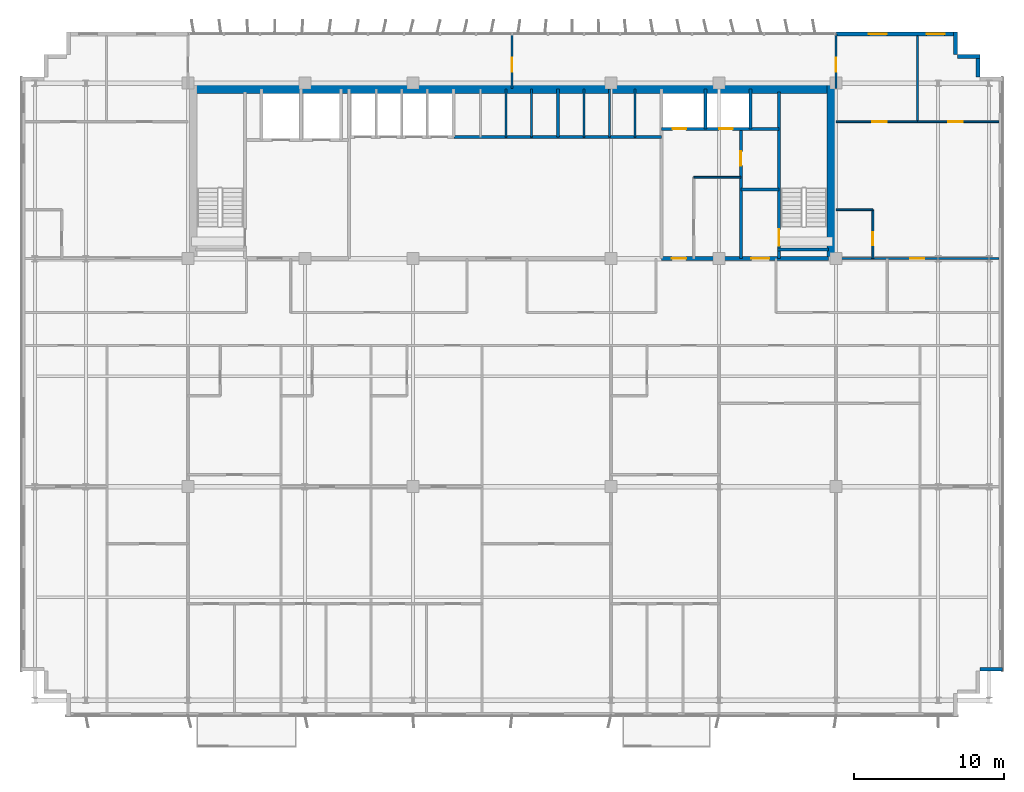
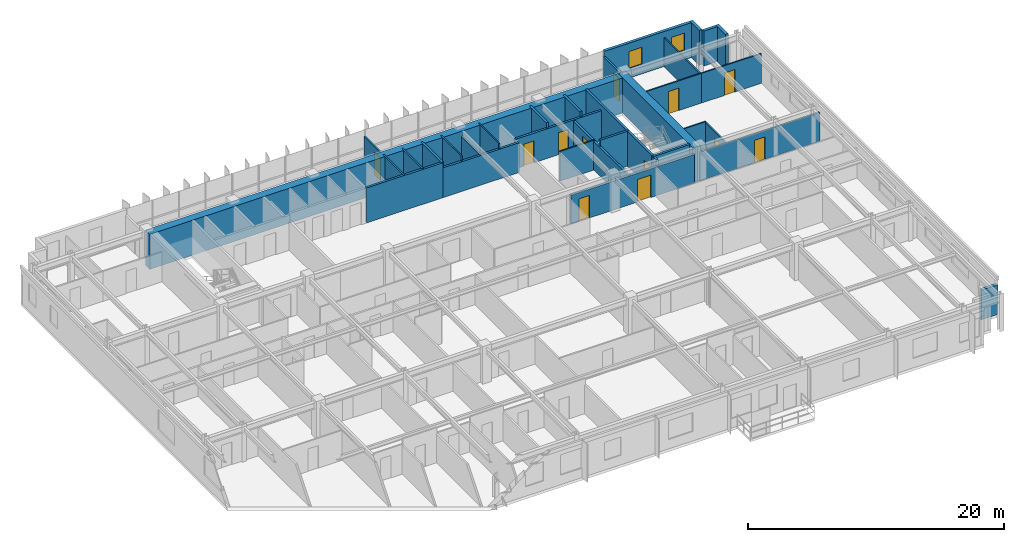
# One storey, part 18 of 22: 32 walls, 12 doors, 2 windows, 14 openings.
"""IFC4 building model written with IfcOpenShell, lengths in metres."""

from ifc_helpers import new_model, si_unit, direction, frame, frame_2d, origin, place, context, subcontext, project, spatial, rectangle, extrude, source, transform, mapped, material, layer, layer_set, type_object, element, fill, save


model = new_model("IFC4")

# Units and contexts
model_context = context("Model", 3, precision=1e-05, world=origin(), true_north=direction((0.0, 1.0)))
body_context = subcontext(model_context, "Body", "Model", "MODEL_VIEW")
ifc_project = project(units=[si_unit("LENGTHUNIT", "METRE"), si_unit("AREAUNIT", "SQUARE_METRE"), si_unit("VOLUMEUNIT", "CUBIC_METRE"), si_unit("PLANEANGLEUNIT", "RADIAN"), si_unit("MASSUNIT", "GRAM", prefix="KILO")], contexts=[model_context])

# Site, building, storey
site_placement = place(None, origin())
site = spatial("IfcSite", under=ifc_project, at=site_placement, CompositionType="ELEMENT")
building_placement = place(site_placement, origin())
building = spatial("IfcBuilding", under=site, at=building_placement, Name="Trelvane Seafront Commons", CompositionType="ELEMENT")
storey_placement = place(building_placement, frame((0.0, 0.0, 117.699951171875)))
storey = spatial("IfcBuildingStorey", under=building, at=storey_placement, Name="L30", CompositionType="ELEMENT", Elevation=117.699951171875)

# Wall, openings, windows
ifc_material_1 = material(Name="Precast concrete C40/50", Category="concrete")
ifc_layer_1 = layer(ifc_material_1, 0.260009765625, Name="ARCH-WALL-EXT260")
ifc_layer_set_1 = layer_set([ifc_layer_1], Name="Precast concrete C40/50")
wall_type_1 = type_object("IfcWallType", Name="ARCH-WALL-EXT260", PredefinedType="SOLIDWALL", material=ifc_layer_set_1)
wall_1_placement = place(storey_placement, frame((58.800048828125, 48.3701171875, 0.0), z_axis=(0.0, 0.0, 1.0), x_axis=(1.0, 0.0, 0.0)))
wall_1 = element("IfcWall", 1, at=wall_1_placement, inside=storey, type_object=wall_type_1, Name="EW-L30-NE-0560", PredefinedType="SOLIDWALL", context=body_context, shape_type="SweptSolid", body=[
    extrude(rectangle(XDim=8.0, YDim=0.260009765625, at=frame_2d((4.0, 0.0))), origin(), (0.0, 0.0, 1.0), 3.340087890625),
])
opening_1_placement = place(wall_1_placement, frame((2.19189453125, 0.0, 0.89990234375)))
opening_1 = element("IfcOpeningElement", 2, at=opening_1_placement, cuts=wall_1, Name="Opening W05", PredefinedType="OPENING", context=body_context, shape_type="SweptSolid", body=[
    extrude(rectangle(XDim=1.199951171875, YDim=1.64990234375, at=frame_2d((0.60009765625, 0.824951171875))), frame((0.0, 0.139892578125, 0.0), z_axis=(0.0, -1.0, 0.0), x_axis=(1.0, 0.0, 0.0)), (0.0, 0.0, 1.0), 0.280029296875),
])
opening_2_placement = place(wall_1_placement, frame((6.032958984375, 0.0, 0.89990234375)))
opening_2 = element("IfcOpeningElement", 3, at=opening_2_placement, cuts=wall_1, Name="Opening W05", PredefinedType="OPENING", context=body_context, shape_type="SweptSolid", body=[
    extrude(rectangle(XDim=1.199951171875, YDim=1.64990234375, at=frame_2d((0.60009765625, 0.824951171875))), frame((0.0, 0.139892578125, 0.0), z_axis=(0.0, -1.0, 0.0), x_axis=(1.0, 0.0, 0.0)), (0.0, 0.0, 1.0), 0.280029296875),
])
ifc_material_2 = material(Name="Low-E coastal double glazing", Category="glass")
window_type = type_object("IfcWindowType", Name="ARCH-WIN-W05", PartitioningType="SINGLE_PANEL", PredefinedType="WINDOW", material=ifc_material_2)
shared_shape_1 = source(origin(), body_context, "Body", "SweptSolid", [
    extrude(rectangle(XDim=1.199951171875, YDim=1.64990234375, at=frame_2d((0.60009765625, 0.824951171875))), frame((0.0, 0.030029296875, 0.0), z_axis=(0.0, -1.0, 0.0), x_axis=(1.0, 0.0, 0.0)), (0.0, 0.0, 1.0), 0.06005859375),
])
window_1_placement = place(opening_1_placement, origin())
window_1 = element("IfcWindow", 4, at=window_1_placement, inside=storey, type_object=window_type, Name="WIN-L30-00667", OverallHeight=1.64990234375, OverallWidth=1.199951171875, PartitioningType="SINGLE_PANEL", PredefinedType="WINDOW", context=body_context, shape_type="MappedRepresentation", body=[
    mapped(shared_shape_1, transform((0.0, 0.0, 0.0), x_axis=(1.0, 0.0, 0.0), y_axis=(0.0, 1.0, 0.0), z_axis=(0.0, 0.0, 1.0), scale=1.0)),
])
fill(opening_1, window_1)
window_2_placement = place(opening_2_placement, origin())
window_2 = element("IfcWindow", 5, at=window_2_placement, inside=storey, type_object=window_type, Name="WIN-L30-00668", OverallHeight=1.64990234375, OverallWidth=1.199951171875, PartitioningType="SINGLE_PANEL", PredefinedType="WINDOW", context=body_context, shape_type="MappedRepresentation", body=[
    mapped(shared_shape_1, transform((0.0, 0.0, 0.0), x_axis=(1.0, 0.0, 0.0), y_axis=(0.0, 1.0, 0.0), z_axis=(0.0, 0.0, 1.0), scale=1.0)),
])
fill(opening_2, window_2)

# Walls
for number, where, z_axis, x_axis, name in (
    (6, (66.77001953125, 48.5, 0.0), (0.0, 0.0, 1.0), (0.0, -1.0, 0.0), "EW-L30-00569"),
    (7, (66.89990234375, 46.8701171875, 0.0), (0.0, 0.0, 1.0), (1.0, 0.0, 0.0), "EW-L30-00570"),
    (8, (68.27001953125, 47.0, 0.0), (0.0, 0.0, 1.0), (0.0, -1.0, 0.0), "EW-L30-00571"),
):
    element("IfcWall", number, at=place(storey_placement, frame(where, z_axis=z_axis, x_axis=x_axis)), inside=storey, type_object=wall_type_1, Name=name, PredefinedType="SOLIDWALL", context=body_context, shape_type="SweptSolid", body=[
        extrude(rectangle(XDim=1.5, YDim=0.260009765625, at=frame_2d((0.75, 0.0))), origin(), (0.0, 0.0, 1.0), 3.340087890625),
    ])
wall_2_placement = place(storey_placement, frame((69.89990234375, 6.030029296875, 0.0), z_axis=(0.0, 0.0, 1.0), x_axis=(-1.0, 0.0, 0.0)))
element("IfcWall", 9, at=wall_2_placement, inside=storey, type_object=wall_type_1, Name="EW-L30-00574", PredefinedType="SOLIDWALL", context=body_context, shape_type="SweptSolid", body=[
    extrude(rectangle(XDim=1.5, YDim=0.260009765625, at=frame_2d((0.75, 0.0))), origin(), (0.0, 0.0, 1.0), 2.840087890625),
])

# Wall, opening, door
ifc_material_3 = material(Name="Concrete C40/50", Category="concrete")
ifc_layer_2 = layer(ifc_material_3, 0.199951171875, Name="ARCH-WALL-FIRE200")
ifc_layer_set_2 = layer_set([ifc_layer_2], Name="Concrete C40/50")
wall_type_2 = type_object("IfcWallType", Name="ARCH-WALL-FIRE200", PredefinedType="PARTITIONING", material=ifc_layer_set_2)
wall_3_placement = place(storey_placement, frame((52.449951171875, 33.39990234375, 0.0), z_axis=(0.0, 0.0, 1.0), x_axis=(0.0, 1.0, 0.0)))
wall_3 = element("IfcWall", 10, at=wall_3_placement, inside=storey, type_object=wall_type_2, Name="W-L30-ST2V-W-033", PredefinedType="PARTITIONING", context=body_context, shape_type="SweptSolid", body=[
    extrude(rectangle(XDim=8.650146484375, YDim=0.199951171875, at=frame_2d((4.3251953125, 0.0))), origin(), (0.0, 0.0, 1.0), 2.751953125),
])
opening_3_placement = place(wall_3_placement, frame((6.199951171875, 0.0, 0.0)))
opening_3 = element("IfcOpeningElement", 11, at=opening_3_placement, cuts=wall_3, Name="Opening FD-L30-13", PredefinedType="OPENING", context=body_context, shape_type="SweptSolid", body=[
    extrude(rectangle(XDim=0.949951171875, YDim=2.14990234375, at=frame_2d((0.47509765625, 1.074951171875))), frame((0.0, 0.10986328125, 0.0), z_axis=(0.0, -1.0, 0.0), x_axis=(1.0, 0.0, 0.0)), (0.0, 0.0, 1.0), 0.219970703125),
])
ifc_material_4 = material(Name="Powder-coated aluminium frame", Category="aluminium")
door_type_1 = type_object("IfcDoorType", Name="ARCH-DR-FD60-950", OperationType="NOTDEFINED", PredefinedType="DOOR", material=ifc_material_4)
shared_shape_2 = source(origin(), body_context, "Body", "SweptSolid", [
    extrude(rectangle(XDim=0.949951171875, YDim=2.14990234375, at=frame_2d((0.47509765625, 1.074951171875))), frame((0.0, 0.02490234375, 0.0), z_axis=(0.0, -1.0, 0.0), x_axis=(1.0, 0.0, 0.0)), (0.0, 0.0, 1.0), 0.050048828125),
])
door_1_placement = place(opening_3_placement, origin())
door_1 = element("IfcDoor", 12, at=door_1_placement, inside=storey, type_object=door_type_1, Name="L30 Cleaner Store Door", OperationType="SINGLE_SWING_LEFT", OverallHeight=2.14990234375, OverallWidth=0.949951171875, PredefinedType="DOOR", context=body_context, shape_type="MappedRepresentation", body=[
    mapped(shared_shape_2, transform((0.0, 0.0, 0.0), x_axis=(1.0, 0.0, 0.0), y_axis=(0.0, 1.0, 0.0), z_axis=(0.0, 0.0, 1.0), scale=1.0)),
])
fill(opening_3, door_1)

# Wall
wall_4_placement = place(storey_placement, frame((52.449951171875, 38.0, 0.0), z_axis=(0.0, 0.0, 1.0), x_axis=(1.0, 0.0, 0.0)))
element("IfcWall", 13, at=wall_4_placement, inside=storey, type_object=wall_type_2, Name="W-L30-ST2V-N-034", PredefinedType="PARTITIONING", context=body_context, shape_type="SweptSolid", body=[
    extrude(rectangle(XDim=2.550048828125, YDim=0.199951171875, at=frame_2d((1.27490234375, 0.0))), origin(), (0.0, 0.0, 1.0), 3.340087890625),
])

# Wall, openings, doors
ifc_layer_3 = layer(ifc_material_3, 0.25, Name="ARCH-WALL-FIRE250")
ifc_layer_set_3 = layer_set([ifc_layer_3], Name="Concrete C40/50")
wall_type_3 = type_object("IfcWallType", Name="ARCH-WALL-FIRE250", PredefinedType="PARTITIONING", material=ifc_layer_set_3)
wall_5_placement = place(storey_placement, frame((47.14990234375, 33.39990234375, 0.0), z_axis=(0.0, 0.0, 1.0), x_axis=(1.0, 0.0, 0.0)))
wall_5 = element("IfcWall", 14, at=wall_5_placement, inside=storey, type_object=wall_type_3, Name="W-L30-CS-EAST-037", PredefinedType="PARTITIONING", context=body_context, shape_type="SweptSolid", body=[
    extrude(rectangle(XDim=11.150146484375, YDim=0.25, at=frame_2d((5.5751953125, 0.0))), origin(), (0.0, 0.0, 1.0), 2.751953125),
])
opening_4_placement = place(wall_5_placement, frame((0.699951171875, 0.0, 0.0)))
opening_4 = element("IfcOpeningElement", 15, at=opening_4_placement, cuts=wall_5, Name="Opening FD-L30-15", PredefinedType="OPENING", context=body_context, shape_type="SweptSolid", body=[
    extrude(rectangle(XDim=0.949951171875, YDim=2.14990234375, at=frame_2d((0.47509765625, 1.074951171875))), frame((0.0, 0.135009765625, 0.0), z_axis=(0.0, -1.0, 0.0), x_axis=(1.0, 0.0, 0.0)), (0.0, 0.0, 1.0), 0.27001953125),
])
opening_5_placement = place(wall_5_placement, frame((6.0, 0.0, 0.0)))
opening_5 = element("IfcOpeningElement", 16, at=opening_5_placement, cuts=wall_5, Name="Opening FD-L30-16", PredefinedType="OPENING", context=body_context, shape_type="SweptSolid", body=[
    extrude(rectangle(XDim=1.199951171875, YDim=2.14990234375, at=frame_2d((0.60009765625, 1.074951171875))), frame((0.0, 0.135009765625, 0.0), z_axis=(0.0, -1.0, 0.0), x_axis=(1.0, 0.0, 0.0)), (0.0, 0.0, 1.0), 0.27001953125),
])
door_2_placement = place(opening_4_placement, origin())
door_2 = element("IfcDoor", 17, at=door_2_placement, inside=storey, type_object=door_type_1, Name="L30 Core Service Lobby Door", OperationType="SINGLE_SWING_LEFT", OverallHeight=2.14990234375, OverallWidth=0.949951171875, PredefinedType="DOOR", context=body_context, shape_type="MappedRepresentation", body=[
    mapped(shared_shape_2, transform((0.0, 0.0, 0.0), x_axis=(1.0, 0.0, 0.0), y_axis=(0.0, 1.0, 0.0), z_axis=(0.0, 0.0, 1.0), scale=1.0)),
])
fill(opening_4, door_2)
door_type_2 = type_object("IfcDoorType", Name="ARCH-DR-FD60-1200", OperationType="NOTDEFINED", PredefinedType="DOOR", material=ifc_material_4)
shared_shape_3 = source(origin(), body_context, "Body", "SweptSolid", [
    extrude(rectangle(XDim=1.199951171875, YDim=2.14990234375, at=frame_2d((0.60009765625, 1.074951171875))), frame((0.0, 0.02490234375, 0.0), z_axis=(0.0, -1.0, 0.0), x_axis=(1.0, 0.0, 0.0)), (0.0, 0.0, 1.0), 0.050048828125),
])
door_3_placement = place(opening_5_placement, origin())
door_3 = element("IfcDoor", 18, at=door_3_placement, inside=storey, type_object=door_type_2, Name="L30 East Stair Vestibule Fire Door", OperationType="SINGLE_SWING_RIGHT", OverallHeight=2.14990234375, OverallWidth=1.199951171875, PredefinedType="DOOR", context=body_context, shape_type="MappedRepresentation", body=[
    mapped(shared_shape_3, transform((0.0, 0.0, 0.0), x_axis=(1.0, 0.0, 0.0), y_axis=(0.0, 1.0, 0.0), z_axis=(0.0, 0.0, 1.0), scale=1.0)),
])
fill(opening_5, door_3)

# Walls
ifc_material_5 = material(Name="Gypsum Drywall Acoustic Partition")
ifc_layer_4 = layer(ifc_material_5, 0.1201171875, Name="ARCH-WALL-PART120")
ifc_layer_set_4 = layer_set([ifc_layer_4], Name="Gypsum Drywall Acoustic Partition")
wall_type_4 = type_object("IfcWallType", Name="ARCH-WALL-PART120", PredefinedType="PARTITIONING", material=ifc_layer_set_4)
for number, where, z_axis, x_axis, name in (
    (19, (36.800048828125, 41.5, 0.0), (0.0, 0.0, 1.0), (0.0, 1.0, 0.0), "W-L30-PM-DIV2-021"),
    (20, (38.5, 41.5, 0.0), (0.0, 0.0, 1.0), (0.0, 1.0, 0.0), "W-L30-PM-DIV3-022"),
    (21, (42.0, 41.5, 0.0), (0.0, 0.0, 1.0), (0.0, 1.0, 0.0), "W-L30-PH-DIV1-025"),
):
    element("IfcWall", number, at=place(storey_placement, frame(where, z_axis=z_axis, x_axis=x_axis)), inside=storey, type_object=wall_type_4, Name=name, PredefinedType="PARTITIONING", context=body_context, shape_type="SweptSolid", body=[
        extrude(rectangle(XDim=3.199951171875, YDim=0.1201171875, at=frame_2d((1.60009765625, 0.0))), origin(), (0.0, 0.0, 1.0), 3.340087890625),
    ])
wall_6_placement = place(storey_placement, frame((43.699951171875, 41.5, 0.0), z_axis=(0.0, 0.0, 1.0), x_axis=(0.0, 1.0, 0.0)))
element("IfcWall", 22, at=wall_6_placement, inside=storey, type_object=wall_type_4, Name="W-L30-PH-DIV2-026", PredefinedType="PARTITIONING", context=body_context, shape_type="SweptSolid", body=[
    extrude(rectangle(XDim=3.199951171875, YDim=0.1201171875, at=frame_2d((1.60009765625, 0.0))), origin(), (0.0, 0.0, 1.0), 2.840087890625),
])
wall_7_placement = place(storey_placement, frame((45.39990234375, 41.5, 0.0), z_axis=(0.0, 0.0, 1.0), x_axis=(0.0, 1.0, 0.0)))
element("IfcWall", 23, at=wall_7_placement, inside=storey, type_object=wall_type_4, Name="W-L30-PH-DIV3-027", PredefinedType="PARTITIONING", context=body_context, shape_type="SweptSolid", body=[
    extrude(rectangle(XDim=3.199951171875, YDim=0.1201171875, at=frame_2d((1.60009765625, 0.0))), origin(), (0.0, 0.0, 1.0), 3.340087890625),
])
wall_8_placement = place(storey_placement, frame((49.320068359375, 38.820068359375, 0.0), z_axis=(0.0, 0.0, 1.0), x_axis=(1.0, 0.0, 0.0)))
element("IfcWall", 24, at=wall_8_placement, inside=storey, type_object=wall_type_4, Name="W-L30-CYC2-H-036", PredefinedType="PARTITIONING", context=body_context, shape_type="SweptSolid", body=[
    extrude(rectangle(XDim=3.1298828125, YDim=0.1201171875, at=frame_2d((1.56494140625, 0.0))), origin(), (0.0, 0.0, 1.0), 2.840087890625),
])

# Wall, opening, door
wall_9_placement = place(storey_placement, frame((61.25, 33.39990234375, 0.0), z_axis=(0.0, 0.0, 1.0), x_axis=(0.0, 1.0, 0.0)))
wall_9 = element("IfcWall", 25, at=wall_9_placement, inside=storey, type_object=wall_type_4, Name="W-L30-NE-BE-055", PredefinedType="PARTITIONING", context=body_context, shape_type="SweptSolid", body=[
    extrude(rectangle(XDim=3.25, YDim=0.1201171875, at=frame_2d((1.625, 0.0))), origin(), (0.0, 0.0, 1.0), 2.751953125),
])
opening_6_placement = place(wall_9_placement, frame((0.89990234375, 0.0, 0.0)))
opening_6 = element("IfcOpeningElement", 26, at=opening_6_placement, cuts=wall_9, Name="Opening D-L30-26", PredefinedType="OPENING", context=body_context, shape_type="SweptSolid", body=[
    extrude(rectangle(XDim=0.85009765625, YDim=2.10009765625, at=frame_2d((0.425048828125, 1.050048828125))), frame((0.0, 0.070068359375, 0.0), z_axis=(0.0, -1.0, 0.0), x_axis=(1.0, 0.0, 0.0)), (0.0, 0.0, 1.0), 0.14013671875),
])
ifc_material_6 = material(Name="Acoustic timber door leaf", Category="wood")
door_type_3 = type_object("IfcDoorType", Name="ARCH-DR-INT850", OperationType="NOTDEFINED", PredefinedType="DOOR", material=ifc_material_6)
shared_shape_4 = source(origin(), body_context, "Body", "SweptSolid", [
    extrude(rectangle(XDim=0.85009765625, YDim=2.10009765625, at=frame_2d((0.425048828125, 1.050048828125))), frame((0.0, 0.02490234375, 0.0), z_axis=(0.0, -1.0, 0.0), x_axis=(1.0, 0.0, 0.0)), (0.0, 0.0, 1.0), 0.050048828125),
])
door_4_placement = place(opening_6_placement, origin())
door_4 = element("IfcDoor", 27, at=door_4_placement, inside=storey, type_object=door_type_3, Name="L30 Door 26", OperationType="SINGLE_SWING_RIGHT", OverallHeight=2.10009765625, OverallWidth=0.85009765625, PredefinedType="DOOR", context=body_context, shape_type="MappedRepresentation", body=[
    mapped(shared_shape_4, transform((0.0, 0.0, 0.0), x_axis=(1.0, 0.0, 0.0), y_axis=(0.0, 1.0, 0.0), z_axis=(0.0, 0.0, 1.0), scale=1.0)),
])
fill(opening_6, door_4)

# Wall
wall_10_placement = place(storey_placement, frame((58.800048828125, 36.64990234375, 0.0), z_axis=(0.0, 0.0, 1.0), x_axis=(1.0, 0.0, 0.0)))
element("IfcWall", 28, at=wall_10_placement, inside=storey, type_object=wall_type_4, Name="W-L30-NE-BN-056", PredefinedType="PARTITIONING", context=body_context, shape_type="SweptSolid", body=[
    extrude(rectangle(XDim=2.449951171875, YDim=0.1201171875, at=frame_2d((1.22509765625, 0.0))), origin(), (0.0, 0.0, 1.0), 2.840087890625),
])

# Wall, opening, door
wall_11_placement = place(storey_placement, frame((58.800048828125, 42.52001953125, 0.0), z_axis=(0.0, 0.0, 1.0), x_axis=(1.0, 0.0, 0.0)))
wall_11 = element("IfcWall", 29, at=wall_11_placement, inside=storey, type_object=wall_type_4, Name="W-L30-NE-KB1-057", PredefinedType="PARTITIONING", context=body_context, shape_type="SweptSolid", body=[
    extrude(rectangle(XDim=5.425048828125, YDim=0.1201171875, at=frame_2d((2.71240234375, 0.0))), origin(), (0.0, 0.0, 1.0), 2.840087890625),
])
opening_7_placement = place(wall_11_placement, frame((2.423095703125, 0.0, 0.0)))
opening_7 = element("IfcOpeningElement", 30, at=opening_7_placement, cuts=wall_11, Name="Opening D-L30-27", PredefinedType="OPENING", context=body_context, shape_type="SweptSolid", body=[
    extrude(rectangle(XDim=0.949951171875, YDim=2.14990234375, at=frame_2d((0.47509765625, 1.074951171875))), frame((0.0, 0.070068359375, 0.0), z_axis=(0.0, -1.0, 0.0), x_axis=(1.0, 0.0, 0.0)), (0.0, 0.0, 1.0), 0.14013671875),
])
door_type_4 = type_object("IfcDoorType", Name="ARCH-DR-INT950", OperationType="NOTDEFINED", PredefinedType="DOOR", material=ifc_material_6)
door_5_placement = place(opening_7_placement, origin())
door_5 = element("IfcDoor", 31, at=door_5_placement, inside=storey, type_object=door_type_4, Name="L30 Door 27", OperationType="SINGLE_SWING_LEFT", OverallHeight=2.14990234375, OverallWidth=0.949951171875, PredefinedType="DOOR", context=body_context, shape_type="MappedRepresentation", body=[
    mapped(shared_shape_2, transform((0.0, 0.0, 0.0), x_axis=(1.0, 0.0, 0.0), y_axis=(0.0, 1.0, 0.0), z_axis=(0.0, 0.0, 1.0), scale=1.0)),
])
fill(opening_7, door_5)

wall_12_placement = place(storey_placement, frame((64.22509765625, 42.52001953125, 0.0), z_axis=(0.0, 0.0, 1.0), x_axis=(1.0, 0.0, 0.0)))
wall_12 = element("IfcWall", 32, at=wall_12_placement, inside=storey, type_object=wall_type_4, Name="W-L30-NE-KB2-058", PredefinedType="PARTITIONING", context=body_context, shape_type="SweptSolid", body=[
    extrude(rectangle(XDim=5.4248046875, YDim=0.1201171875, at=frame_2d((2.71240234375, 0.0))), origin(), (0.0, 0.0, 1.0), 2.840087890625),
])
opening_8_placement = place(wall_12_placement, frame((2.052001953125, 0.0, 0.0)))
opening_8 = element("IfcOpeningElement", 33, at=opening_8_placement, cuts=wall_12, Name="Opening D-L30-28", PredefinedType="OPENING", context=body_context, shape_type="SweptSolid", body=[
    extrude(rectangle(XDim=0.949951171875, YDim=2.14990234375, at=frame_2d((0.47509765625, 1.074951171875))), frame((0.0, 0.070068359375, 0.0), z_axis=(0.0, -1.0, 0.0), x_axis=(1.0, 0.0, 0.0)), (0.0, 0.0, 1.0), 0.14013671875),
])
door_6_placement = place(opening_8_placement, origin())
door_6 = element("IfcDoor", 34, at=door_6_placement, inside=storey, type_object=door_type_4, Name="L30 Door 28", OperationType="SINGLE_SWING_RIGHT", OverallHeight=2.14990234375, OverallWidth=0.949951171875, PredefinedType="DOOR", context=body_context, shape_type="MappedRepresentation", body=[
    mapped(shared_shape_2, transform((0.0, 0.0, 0.0), x_axis=(1.0, 0.0, 0.0), y_axis=(0.0, 1.0, 0.0), z_axis=(0.0, 0.0, 1.0), scale=1.0)),
])
fill(opening_8, door_6)

# Wall
wall_13_placement = place(storey_placement, frame((64.22509765625, 42.52001953125, 0.0), z_axis=(0.0, 0.0, 1.0), x_axis=(0.0, 1.0, 0.0)))
element("IfcWall", 35, at=wall_13_placement, inside=storey, type_object=wall_type_4, Name="W-L30-NE-KBDV-059", PredefinedType="PARTITIONING", context=body_context, shape_type="SweptSolid", body=[
    extrude(rectangle(XDim=5.719970703125, YDim=0.1201171875, at=frame_2d((2.85986328125, 0.0))), origin(), (0.0, 0.0, 1.0), 2.751953125),
])

# Wall, opening, door
wall_14_placement = place(storey_placement, frame((37.199951171875, 44.75, 0.0), z_axis=(0.0, 0.0, 1.0), x_axis=(0.0, 1.0, 0.0)))
wall_14 = element("IfcWall", 36, at=wall_14_placement, inside=storey, type_object=wall_type_4, Name="W-L30-N-MID-DV-061", PredefinedType="PARTITIONING", context=body_context, shape_type="SweptSolid", body=[
    extrude(rectangle(XDim=3.610107421875, YDim=0.1201171875, at=frame_2d((1.80517578125, 0.0))), origin(), (0.0, 0.0, 1.0), 2.751953125),
])
opening_9_placement = place(wall_14_placement, frame((1.10009765625, 0.0, 0.0)))
opening_9 = element("IfcOpeningElement", 37, at=opening_9_placement, cuts=wall_14, Name="Opening D-L30-30", PredefinedType="OPENING", context=body_context, shape_type="SweptSolid", body=[
    extrude(rectangle(XDim=0.949951171875, YDim=2.14990234375, at=frame_2d((0.47509765625, 1.074951171875))), frame((0.0, 0.070068359375, 0.0), z_axis=(0.0, -1.0, 0.0), x_axis=(1.0, 0.0, 0.0)), (0.0, 0.0, 1.0), 0.14013671875),
])
door_7_placement = place(opening_9_placement, origin())
door_7 = element("IfcDoor", 38, at=door_7_placement, inside=storey, type_object=door_type_4, Name="L30 Door 30", OperationType="SINGLE_SWING_RIGHT", OverallHeight=2.14990234375, OverallWidth=0.949951171875, PredefinedType="DOOR", context=body_context, shape_type="MappedRepresentation", body=[
    mapped(shared_shape_2, transform((0.0, 0.0, 0.0), x_axis=(1.0, 0.0, 0.0), y_axis=(0.0, 1.0, 0.0), z_axis=(0.0, 0.0, 1.0), scale=1.0)),
])
fill(opening_9, door_7)

ifc_layer_5 = layer(ifc_material_5, 0.14990234375, Name="ARCH-WALL-PART150")
ifc_layer_set_5 = layer_set([ifc_layer_5], Name="Gypsum Drywall Acoustic Partition")
wall_type_5 = type_object("IfcWallType", Name="ARCH-WALL-PART150", PredefinedType="PARTITIONING", material=ifc_layer_set_5)
wall_15_placement = place(storey_placement, frame((58.800048828125, 33.39990234375, 0.0), z_axis=(0.0, 0.0, 1.0), x_axis=(1.0, 0.0, 0.0)))
wall_15 = element("IfcWall", 39, at=wall_15_placement, inside=storey, type_object=wall_type_5, Name="W-L30-NE-ENT-060", PredefinedType="PARTITIONING", context=body_context, shape_type="SweptSolid", body=[
    extrude(rectangle(XDim=10.849853515625, YDim=0.14990234375, at=frame_2d((5.4248046875, 0.0))), origin(), (0.0, 0.0, 1.0), 2.751953125),
])
opening_10_placement = place(wall_15_placement, frame((4.93310546875, 0.0, 0.0)))
opening_10 = element("IfcOpeningElement", 40, at=opening_10_placement, cuts=wall_15, Name="Opening FD-L30-29", PredefinedType="OPENING", context=body_context, shape_type="SweptSolid", body=[
    extrude(rectangle(XDim=0.949951171875, YDim=2.14990234375, at=frame_2d((0.47509765625, 1.074951171875))), frame((0.0, 0.0849609375, 0.0), z_axis=(0.0, -1.0, 0.0), x_axis=(1.0, 0.0, 0.0)), (0.0, 0.0, 1.0), 0.169921875),
])
door_8_placement = place(opening_10_placement, origin())
door_8 = element("IfcDoor", 41, at=door_8_placement, inside=storey, type_object=door_type_1, Name="L30 NE Flat Entrance Door", OperationType="SINGLE_SWING_LEFT", OverallHeight=2.14990234375, OverallWidth=0.949951171875, PredefinedType="DOOR", context=body_context, shape_type="MappedRepresentation", body=[
    mapped(shared_shape_2, transform((0.0, 0.0, 0.0), x_axis=(1.0, 0.0, 0.0), y_axis=(0.0, 1.0, 0.0), z_axis=(0.0, 0.0, 1.0), scale=1.0)),
])
fill(opening_10, door_8)

wall_16_placement = place(storey_placement, frame((58.800048828125, 44.75, 0.0), z_axis=(0.0, 0.0, 1.0), x_axis=(0.0, 1.0, 0.0)))
wall_16 = element("IfcWall", 42, at=wall_16_placement, inside=storey, type_object=wall_type_5, Name="W-L30-N-LINK-E-063", PredefinedType="PARTITIONING", context=body_context, shape_type="SweptSolid", body=[
    extrude(rectangle(XDim=3.610107421875, YDim=0.14990234375, at=frame_2d((1.80517578125, 0.0))), origin(), (0.0, 0.0, 1.0), 2.840087890625),
])
opening_11_placement = place(wall_16_placement, frame((1.10009765625, 0.0, 0.0)))
opening_11 = element("IfcOpeningElement", 43, at=opening_11_placement, cuts=wall_16, Name="Opening FD-L30-32", PredefinedType="OPENING", context=body_context, shape_type="SweptSolid", body=[
    extrude(rectangle(XDim=0.949951171875, YDim=2.14990234375, at=frame_2d((0.47509765625, 1.074951171875))), frame((0.0, 0.0849609375, 0.0), z_axis=(0.0, -1.0, 0.0), x_axis=(1.0, 0.0, 0.0)), (0.0, 0.0, 1.0), 0.169921875),
])
door_9_placement = place(opening_11_placement, origin())
door_9 = element("IfcDoor", 44, at=door_9_placement, inside=storey, type_object=door_type_1, Name="L30 Door 32", OperationType="SINGLE_SWING_RIGHT", OverallHeight=2.14990234375, OverallWidth=0.949951171875, PredefinedType="DOOR", context=body_context, shape_type="MappedRepresentation", body=[
    mapped(shared_shape_2, transform((0.0, 0.0, 0.0), x_axis=(1.0, 0.0, 0.0), y_axis=(0.0, 1.0, 0.0), z_axis=(0.0, 0.0, 1.0), scale=1.0)),
])
fill(opening_11, door_9)

# Walls
ifc_layer_6 = layer(ifc_material_3, 0.199951171875, Name="ARCH-WALL-SHAFT200")
ifc_layer_set_6 = layer_set([ifc_layer_6], Name="Concrete C40/50")
wall_type_6 = type_object("IfcWallType", Name="ARCH-WALL-SHAFT200", PredefinedType="SOLIDWALL", material=ifc_layer_set_6)
wall_17_placement = place(storey_placement, frame((33.35009765625, 41.5, 0.0), z_axis=(0.0, 0.0, 1.0), x_axis=(1.0, 0.0, 0.0)))
element("IfcWall", 45, at=wall_17_placement, inside=storey, type_object=wall_type_6, Name="W-L30-PM-FRONT-019", PredefinedType="SOLIDWALL", context=body_context, shape_type="SweptSolid", body=[
    extrude(rectangle(XDim=6.89990234375, YDim=0.199951171875, at=frame_2d((3.449951171875, 0.0))), origin(), (0.0, 0.0, 1.0), 3.340087890625),
])
wall_18_placement = place(storey_placement, frame((40.25, 41.5, 0.0), z_axis=(0.0, 0.0, 1.0), x_axis=(1.0, 0.0, 0.0)))
element("IfcWall", 46, at=wall_18_placement, inside=storey, type_object=wall_type_6, Name="W-L30-PH-FRONT-023", PredefinedType="SOLIDWALL", context=body_context, shape_type="SweptSolid", body=[
    extrude(rectangle(XDim=6.89990234375, YDim=0.199951171875, at=frame_2d((3.449951171875, 0.0))), origin(), (0.0, 0.0, 1.0), 2.840087890625),
])
wall_19_placement = place(storey_placement, frame((40.25, 41.5, 0.0), z_axis=(0.0, 0.0, 1.0), x_axis=(0.0, 1.0, 0.0)))
element("IfcWall", 47, at=wall_19_placement, inside=storey, type_object=wall_type_6, Name="W-L30-PH-WEST-SH-024", PredefinedType="SOLIDWALL", context=body_context, shape_type="SweptSolid", body=[
    extrude(rectangle(XDim=3.199951171875, YDim=0.199951171875, at=frame_2d((1.60009765625, 0.0))), origin(), (0.0, 0.0, 1.0), 3.340087890625),
])

# Wall, openings, doors
wall_20_placement = place(storey_placement, frame((47.14990234375, 42.050048828125, 0.0), z_axis=(0.0, 0.0, 1.0), x_axis=(1.0, 0.0, 0.0)))
wall_20 = element("IfcWall", 48, at=wall_20_placement, inside=storey, type_object=wall_type_6, Name="W-L30-RSR-S-030", PredefinedType="SOLIDWALL", context=body_context, shape_type="SweptSolid", body=[
    extrude(rectangle(XDim=7.85009765625, YDim=0.199951171875, at=frame_2d((3.925048828125, 0.0))), origin(), (0.0, 0.0, 1.0), 2.840087890625),
])
opening_12_placement = place(wall_20_placement, frame((0.75, 0.0, 0.0)))
opening_12 = element("IfcOpeningElement", 49, at=opening_12_placement, cuts=wall_20, Name="Opening FD-L30-11", PredefinedType="OPENING", context=body_context, shape_type="SweptSolid", body=[
    extrude(rectangle(XDim=0.89990234375, YDim=2.10009765625, at=frame_2d((0.449951171875, 1.050048828125))), frame((0.0, 0.10986328125, 0.0), z_axis=(0.0, -1.0, 0.0), x_axis=(1.0, 0.0, 0.0)), (0.0, 0.0, 1.0), 0.219970703125),
])
opening_13_placement = place(wall_20_placement, frame((3.85009765625, 0.0, 0.0)))
opening_13 = element("IfcOpeningElement", 50, at=opening_13_placement, cuts=wall_20, Name="Opening FD-L30-12", PredefinedType="OPENING", context=body_context, shape_type="SweptSolid", body=[
    extrude(rectangle(XDim=0.89990234375, YDim=2.10009765625, at=frame_2d((0.449951171875, 1.050048828125))), frame((0.0, 0.10986328125, 0.0), z_axis=(0.0, -1.0, 0.0), x_axis=(1.0, 0.0, 0.0)), (0.0, 0.0, 1.0), 0.219970703125),
])
door_type_5 = type_object("IfcDoorType", Name="ARCH-DR-FD60-900", OperationType="NOTDEFINED", PredefinedType="DOOR", material=ifc_material_4)
shared_shape_5 = source(origin(), body_context, "Body", "SweptSolid", [
    extrude(rectangle(XDim=0.89990234375, YDim=2.10009765625, at=frame_2d((0.449951171875, 1.050048828125))), frame((0.0, 0.02490234375, 0.0), z_axis=(0.0, -1.0, 0.0), x_axis=(1.0, 0.0, 0.0)), (0.0, 0.0, 1.0), 0.050048828125),
])
door_10_placement = place(opening_12_placement, origin())
door_10 = element("IfcDoor", 51, at=door_10_placement, inside=storey, type_object=door_type_5, Name="L30 Electrical Riser Access Door", OperationType="SINGLE_SWING_LEFT", OverallHeight=2.10009765625, OverallWidth=0.89990234375, PredefinedType="DOOR", context=body_context, shape_type="MappedRepresentation", body=[
    mapped(shared_shape_5, transform((0.0, 0.0, 0.0), x_axis=(1.0, 0.0, 0.0), y_axis=(0.0, 1.0, 0.0), z_axis=(0.0, 0.0, 1.0), scale=1.0)),
])
fill(opening_12, door_10)
door_11_placement = place(opening_13_placement, origin())
door_11 = element("IfcDoor", 52, at=door_11_placement, inside=storey, type_object=door_type_5, Name="L30 Mechanical Riser Access Door", OperationType="SINGLE_SWING_RIGHT", OverallHeight=2.10009765625, OverallWidth=0.89990234375, PredefinedType="DOOR", context=body_context, shape_type="MappedRepresentation", body=[
    mapped(shared_shape_5, transform((0.0, 0.0, 0.0), x_axis=(1.0, 0.0, 0.0), y_axis=(0.0, 1.0, 0.0), z_axis=(0.0, 0.0, 1.0), scale=1.0)),
])
fill(opening_13, door_11)

# Walls
for number, where, z_axis, x_axis, name in (
    (53, (50.080078125, 42.050048828125, 0.0), (0.0, 0.0, 1.0), (0.0, 1.0, 0.0), "W-L30-RSR-DIV-031"),
    (54, (53.10009765625, 42.050048828125, 0.0), (0.0, 0.0, 1.0), (0.0, 1.0, 0.0), "W-L30-RSR-E-032"),
):
    element("IfcWall", number, at=place(storey_placement, frame(where, z_axis=z_axis, x_axis=x_axis)), inside=storey, type_object=wall_type_6, Name=name, PredefinedType="SOLIDWALL", context=body_context, shape_type="SweptSolid", body=[
        extrude(rectangle(XDim=2.64990234375, YDim=0.199951171875, at=frame_2d((1.324951171875, 0.0))), origin(), (0.0, 0.0, 1.0), 3.340087890625),
    ])
ifc_material_7 = material(Name="Concrete C60/75", Category="concrete")
ifc_layer_7 = layer(ifc_material_7, 0.699951171875, Name="STR-WALL-CORE700")
ifc_layer_set_7 = layer_set([ifc_layer_7], Name="Concrete C60/75")
wall_type_7 = type_object("IfcWallType", Name="STR-WALL-CORE700", PredefinedType="SHEAR", material=ifc_layer_set_7)
wall_21_placement = place(storey_placement, frame((15.5, 44.75, 0.0), z_axis=(0.0, 0.0, 1.0), x_axis=(1.0, 0.0, 0.0)))
element("IfcWall", 55, at=wall_21_placement, inside=storey, type_object=wall_type_7, Name="W-L30-CN-ALL-001", PredefinedType="SHEAR", context=body_context, shape_type="SweptSolid", body=[
    extrude(rectangle(XDim=43.39990234375, YDim=0.699951171875, at=frame_2d((21.699951171875, 0.0))), origin(), (0.0, 0.0, 1.0), 3.340087890625),
])
wall_22_placement = place(storey_placement, frame((58.550048828125, 33.39990234375, 0.0), z_axis=(0.0, 0.0, 1.0), x_axis=(0.0, 1.0, 0.0)))
element("IfcWall", 56, at=wall_22_placement, inside=storey, type_object=wall_type_7, Name="W-L30-CE-END-003", PredefinedType="SHEAR", context=body_context, shape_type="SweptSolid", body=[
    extrude(rectangle(XDim=11.7001953125, YDim=0.699951171875, at=frame_2d((5.85009765625, 0.0))), origin(), (0.0, 0.0, 1.0), 3.340087890625),
])
ifc_material_8 = material(Name="Concrete C50/60", Category="concrete")
ifc_layer_8 = layer(ifc_material_8, 0.199951171875, Name="STR-WALL-STAIR200")
ifc_layer_set_8 = layer_set([ifc_layer_8], Name="Concrete C50/60")
wall_type_8 = type_object("IfcWallType", Name="STR-WALL-STAIR200", PredefinedType="SHEAR", material=ifc_layer_set_8)
wall_23_placement = place(storey_placement, frame((54.89990234375, 34.0, 0.0), z_axis=(0.0, 0.0, 1.0), x_axis=(1.0, 0.0, 0.0)))
element("IfcWall", 57, at=wall_23_placement, inside=storey, type_object=wall_type_8, Name="W-L30-ST2-S-006", PredefinedType="SHEAR", context=body_context, shape_type="SweptSolid", body=[
    extrude(rectangle(XDim=3.400146484375, YDim=0.199951171875, at=frame_2d((1.7001953125, 0.0))), origin(), (0.0, 0.0, 1.0), 3.340087890625),
])

# Wall, opening, door
wall_24_placement = place(storey_placement, frame((55.0, 33.39990234375, 0.0), z_axis=(0.0, 0.0, 1.0), x_axis=(0.0, 1.0, 0.0)))
wall_24 = element("IfcWall", 58, at=wall_24_placement, inside=storey, type_object=wall_type_8, Name="W-L30-ST2-W-007", PredefinedType="SHEAR", context=body_context, shape_type="SweptSolid", body=[
    extrude(rectangle(XDim=11.10009765625, YDim=0.199951171875, at=frame_2d((5.550048828125, 0.0))), origin(), (0.0, 0.0, 1.0), 3.340087890625),
])
opening_14_placement = place(wall_24_placement, frame((0.85009765625, 0.0, 0.0)))
opening_14 = element("IfcOpeningElement", 59, at=opening_14_placement, cuts=wall_24, Name="Opening ST-D2-L30", PredefinedType="OPENING", context=body_context, shape_type="SweptSolid", body=[
    extrude(rectangle(XDim=1.10009765625, YDim=2.14990234375, at=frame_2d((0.550048828125, 1.074951171875))), frame((0.0, 0.10986328125, 0.0), z_axis=(0.0, -1.0, 0.0), x_axis=(1.0, 0.0, 0.0)), (0.0, 0.0, 1.0), 0.219970703125),
])
door_type_6 = type_object("IfcDoorType", Name="ARCH-DR-FD90-1100", OperationType="NOTDEFINED", PredefinedType="DOOR", material=ifc_material_4)
shared_shape_6 = source(origin(), body_context, "Body", "SweptSolid", [
    extrude(rectangle(XDim=1.10009765625, YDim=2.14990234375, at=frame_2d((0.550048828125, 1.074951171875))), frame((0.0, 0.02490234375, 0.0), z_axis=(0.0, -1.0, 0.0), x_axis=(1.0, 0.0, 0.0)), (0.0, 0.0, 1.0), 0.050048828125),
])
door_12_placement = place(opening_14_placement, origin())
door_12 = element("IfcDoor", 60, at=door_12_placement, inside=storey, type_object=door_type_6, Name="L30 Stair ST-2 Vestibule Fire Door", OperationType="SINGLE_SWING_RIGHT", OverallHeight=2.14990234375, OverallWidth=1.10009765625, PredefinedType="DOOR", context=body_context, shape_type="MappedRepresentation", body=[
    mapped(shared_shape_6, transform((0.0, 0.0, 0.0), x_axis=(1.0, 0.0, 0.0), y_axis=(0.0, 1.0, 0.0), z_axis=(0.0, 0.0, 1.0), scale=1.0)),
])
fill(opening_14, door_12)

save(model, "model.ifc")
